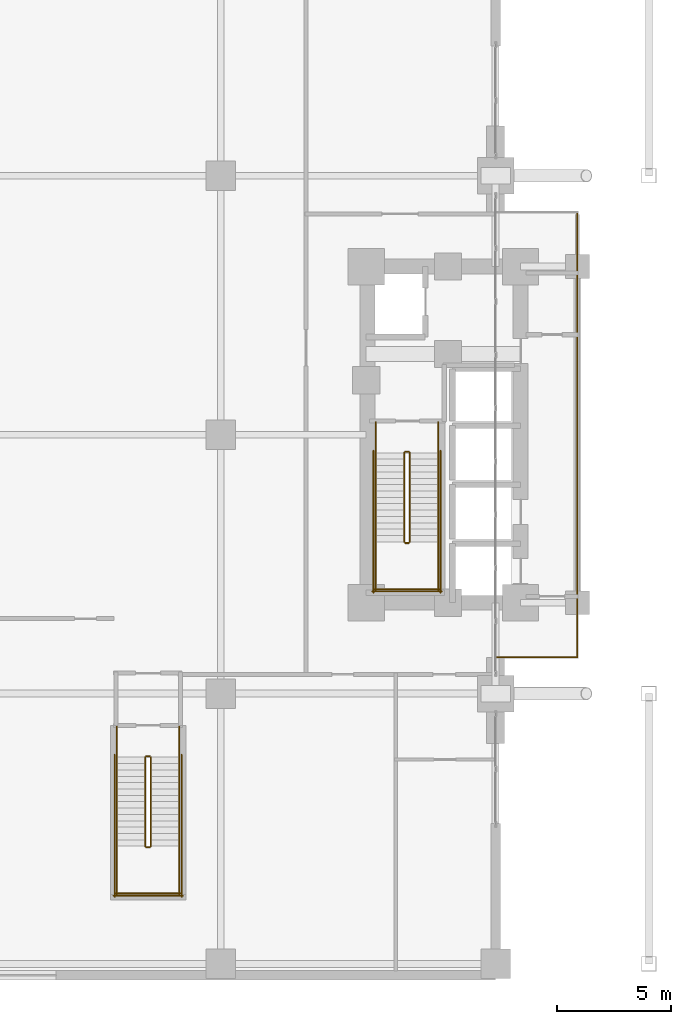
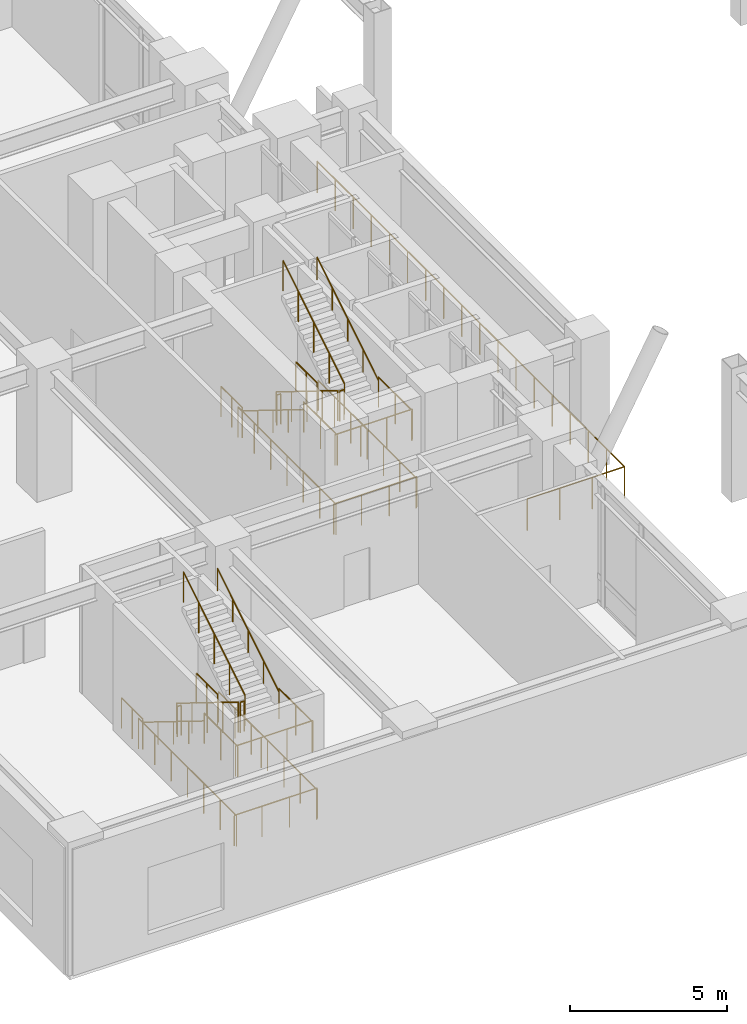
# One storey, part 24 of 27: 30 railings.
"""IFC4 building model written with IfcOpenShell, lengths in metres."""

from ifc_helpers import new_model, si_unit, direction, frame, origin, origin_2d, place, context, subcontext, project, spatial, circle, extrude, material, type_object, element, save


model = new_model("IFC4")

# Units and contexts
model_context = context("Model", 3, precision=1e-05, world=origin(), true_north=direction((0.0, 1.0)))
body_context = subcontext(model_context, "Body", "Model", "MODEL_VIEW")
ifc_project = project(units=[si_unit("LENGTHUNIT", "METRE"), si_unit("AREAUNIT", "SQUARE_METRE"), si_unit("VOLUMEUNIT", "CUBIC_METRE"), si_unit("PLANEANGLEUNIT", "RADIAN"), si_unit("MASSUNIT", "GRAM", prefix="KILO")], contexts=[model_context])

# Site, building, storey
site_placement = place(None, origin())
site = spatial("IfcSite", under=ifc_project, at=site_placement, CompositionType="ELEMENT")
building_placement = place(site_placement, origin())
building = spatial("IfcBuilding", under=site, at=building_placement, Name="Voryun Gate Residences", CompositionType="ELEMENT")
storey_placement = place(building_placement, frame((0.0, 0.0, 5.199951171875)))
storey = spatial("IfcBuildingStorey", under=building, at=storey_placement, Name="L01", CompositionType="ELEMENT", Elevation=5.199951171875)

# Railings
ifc_material_1 = material(Name="Painted steel", Category="steel")
railing_type_1 = type_object("IfcRailingType", Name="RAIL_STAIR_GUARD_1200", PredefinedType="GUARDRAIL", material=ifc_material_1)
railing_1_placement = place(storey_placement, frame((-17.52490234375, -0.800048828125, 0.17333984375)))
element("IfcRailing", 1, at=railing_1_placement, inside=storey, type_object=railing_type_1, Name="L01 ST-W1 stair guard 1", PredefinedType="GUARDRAIL", context=body_context, shape_type="SweptSolid", body=[
    extrude(circle(Radius=0.02392578125, at=origin_2d()), frame((0.0, 0.0, 1.17578125), z_axis=(0.0, -0.850251603719, 0.526376491091), x_axis=(1.0, 0.0, 0.0)), (0.0, 0.0, 1.0), 4.6103515625),
    extrude(circle(Radius=0.02099609375, at=origin_2d()), origin(), (0.0, 0.0, 1.0), 1.15185546875),
    extrude(circle(Radius=0.02099609375, at=origin_2d()), frame((0.0, -0.97998046875, 0.606689453125)), (0.0, 0.0, 1.0), 1.15185546875),
    extrude(circle(Radius=0.02099609375, at=origin_2d()), frame((0.0, -1.9599609375, 1.21337890625)), (0.0, 0.0, 1.0), 1.15185546875),
    extrude(circle(Radius=0.02099609375, at=origin_2d()), frame((0.0, -2.93994140625, 1.820068359375)), (0.0, 0.0, 1.0), 1.15185546875),
    extrude(circle(Radius=0.02099609375, at=origin_2d()), frame((0.0, -3.919921875, 2.4267578125)), (0.0, 0.0, 1.0), 1.15185546875),
])
railing_2_placement = place(storey_placement, frame((-17.47509765625, -4.77001953125, 2.60009765625)))
element("IfcRailing", 2, at=railing_2_placement, inside=storey, type_object=railing_type_1, Name="L01 ST-W1 stair guard 2", PredefinedType="GUARDRAIL", context=body_context, shape_type="SweptSolid", body=[
    extrude(circle(Radius=0.02392578125, at=origin_2d()), frame((0.0, 0.0, 1.17578125), z_axis=(1.0, 0.0, 0.0), x_axis=(0.0, 1.0, 0.0)), (0.0, 0.0, 1.0), 0.150146484375),
    extrude(circle(Radius=0.02099609375, at=origin_2d()), origin(), (0.0, 0.0, 1.0), 1.15185546875),
    extrude(circle(Radius=0.02099609375, at=origin_2d()), frame((0.150146484375, 0.0, 0.0)), (0.0, 0.0, 1.0), 1.15185546875),
])
for number, where, name in (
    (3, (-18.77490234375, -4.719970703125, 2.60009765625), "L01 ST-W1 stair guard 3"),
    (4, (-16.02490234375, -4.719970703125, 2.60009765625), "L01 ST-W1 stair guard 4"),
):
    element("IfcRailing", number, at=place(storey_placement, frame(where)), inside=storey, type_object=railing_type_1, Name=name, PredefinedType="GUARDRAIL", context=body_context, shape_type="SweptSolid", body=[
        extrude(circle(Radius=0.02392578125, at=origin_2d()), frame((0.0, 0.0, 1.17578125), z_axis=(0.0, -1.0, 0.0), x_axis=(1.0, 0.0, 0.0)), (0.0, 0.0, 1.0), 2.130126953125),
        extrude(circle(Radius=0.02099609375, at=origin_2d()), origin(), (0.0, 0.0, 1.0), 1.15185546875),
        extrude(circle(Radius=0.02099609375, at=origin_2d()), frame((0.0, -1.06494140625, 0.0)), (0.0, 0.0, 1.0), 1.15185546875),
        extrude(circle(Radius=0.02099609375, at=origin_2d()), frame((0.0, -2.130126953125, 0.0)), (0.0, 0.0, 1.0), 1.15185546875),
    ])
railing_3_placement = place(storey_placement, frame((-18.824951171875, -6.800048828125, 2.60009765625)))
element("IfcRailing", 5, at=railing_3_placement, inside=storey, type_object=railing_type_1, Name="L01 ST-W1 stair guard 5", PredefinedType="GUARDRAIL", context=body_context, shape_type="SweptSolid", body=[
    extrude(circle(Radius=0.02392578125, at=origin_2d()), frame((0.0, 0.0, 1.17578125), z_axis=(1.0, 0.0, 0.0), x_axis=(0.0, 1.0, 0.0)), (0.0, 0.0, 1.0), 2.849853515625),
    extrude(circle(Radius=0.02099609375, at=origin_2d()), origin(), (0.0, 0.0, 1.0), 1.15185546875),
    extrude(circle(Radius=0.02099609375, at=origin_2d()), frame((0.949951171875, 0.0, 0.0)), (0.0, 0.0, 1.0), 1.15185546875),
    extrude(circle(Radius=0.02099609375, at=origin_2d()), frame((1.89990234375, 0.0, 0.0)), (0.0, 0.0, 1.0), 1.15185546875),
    extrude(circle(Radius=0.02099609375, at=origin_2d()), frame((2.849853515625, 0.0, 0.0)), (0.0, 0.0, 1.0), 1.15185546875),
])
railing_4_placement = place(storey_placement, frame((-17.27490234375, -4.719970703125, 2.7734375)))
element("IfcRailing", 6, at=railing_4_placement, inside=storey, type_object=railing_type_1, Name="L01 ST-W1 stair guard 6", PredefinedType="GUARDRAIL", context=body_context, shape_type="SweptSolid", body=[
    extrude(circle(Radius=0.02392578125, at=origin_2d()), frame((0.0, 0.0, 1.17578125), z_axis=(0.0, 0.850275303828, 0.526338206574), x_axis=(-1.0, 0.0, 0.0)), (0.0, 0.0, 1.0), 4.610107421875),
    extrude(circle(Radius=0.02099609375, at=origin_2d()), origin(), (0.0, 0.0, 1.0), 1.15185546875),
    extrude(circle(Radius=0.02099609375, at=origin_2d()), frame((0.0, 0.97998046875, 0.606689453125)), (0.0, 0.0, 1.0), 1.15185546875),
    extrude(circle(Radius=0.02099609375, at=origin_2d()), frame((0.0, 1.9599609375, 1.21337890625)), (0.0, 0.0, 1.0), 1.15185546875),
    extrude(circle(Radius=0.02099609375, at=origin_2d()), frame((0.0, 2.93994140625, 1.81982421875)), (0.0, 0.0, 1.0), 1.15185546875),
    extrude(circle(Radius=0.02099609375, at=origin_2d()), frame((0.0, 3.919921875, 2.426513671875)), (0.0, 0.0, 1.0), 1.15185546875),
])
railing_5_placement = place(storey_placement, frame((-17.47509765625, -0.75, 0.0)))
element("IfcRailing", 7, at=railing_5_placement, inside=storey, type_object=railing_type_1, Name="L01 ST-W1 stair guard 7", PredefinedType="GUARDRAIL", context=body_context, shape_type="SweptSolid", body=[
    extrude(circle(Radius=0.02392578125, at=origin_2d()), frame((0.0, 0.0, 1.17578125), z_axis=(1.0, 0.0, 0.0), x_axis=(0.0, 1.0, 0.0)), (0.0, 0.0, 1.0), 0.150146484375),
    extrude(circle(Radius=0.02099609375, at=origin_2d()), origin(), (0.0, 0.0, 1.0), 1.15185546875),
    extrude(circle(Radius=0.02099609375, at=origin_2d()), frame((0.150146484375, 0.0, 0.0)), (0.0, 0.0, 1.0), 1.15185546875),
])
for number, where, name in (
    (8, (-18.77490234375, 0.550048828125, 0.0), "L01 ST-W1 stair guard 8"),
    (9, (-16.02490234375, 0.550048828125, 0.0), "L01 ST-W1 stair guard 9"),
):
    element("IfcRailing", number, at=place(storey_placement, frame(where)), inside=storey, type_object=railing_type_1, Name=name, PredefinedType="GUARDRAIL", context=body_context, shape_type="SweptSolid", body=[
        extrude(circle(Radius=0.02392578125, at=origin_2d()), frame((0.0, 0.0, 1.17578125), z_axis=(0.0, -1.0, 0.0), x_axis=(1.0, 0.0, 0.0)), (0.0, 0.0, 1.0), 1.35009765625),
        extrude(circle(Radius=0.02099609375, at=origin_2d()), origin(), (0.0, 0.0, 1.0), 1.15185546875),
        extrude(circle(Radius=0.02099609375, at=origin_2d()), frame((0.0, -0.675048828125, 0.0)), (0.0, 0.0, 1.0), 1.15185546875),
        extrude(circle(Radius=0.02099609375, at=origin_2d()), frame((0.0, -1.35009765625, 0.0)), (0.0, 0.0, 1.0), 1.15185546875),
    ])
for number, where, name in (
    (10, (-18.875, -0.699951171875, 0.0), "L01 ST-W1 stair guard 10"),
    (11, (-15.925048828125, -0.699951171875, 0.0), "L01 ST-W1 stair guard 11"),
):
    element("IfcRailing", number, at=place(storey_placement, frame(where)), inside=storey, type_object=railing_type_1, Name=name, PredefinedType="GUARDRAIL", context=body_context, shape_type="SweptSolid", body=[
        extrude(circle(Radius=0.02392578125, at=origin_2d()), frame((0.0, 0.0, 1.17578125), z_axis=(0.0, -1.0, 0.0), x_axis=(1.0, 0.0, 0.0)), (0.0, 0.0, 1.0), 6.25),
        extrude(circle(Radius=0.02099609375, at=origin_2d()), origin(), (0.0, 0.0, 1.0), 1.15185546875),
        extrude(circle(Radius=0.02099609375, at=origin_2d()), frame((0.0, -1.041748046875, 0.0)), (0.0, 0.0, 1.0), 1.15185546875),
        extrude(circle(Radius=0.02099609375, at=origin_2d()), frame((0.0, -2.083251953125, 0.0)), (0.0, 0.0, 1.0), 1.15185546875),
        extrude(circle(Radius=0.02099609375, at=origin_2d()), frame((0.0, -3.125, 0.0)), (0.0, 0.0, 1.0), 1.15185546875),
        extrude(circle(Radius=0.02099609375, at=origin_2d()), frame((0.0, -4.166748046875, 0.0)), (0.0, 0.0, 1.0), 1.15185546875),
        extrude(circle(Radius=0.02099609375, at=origin_2d()), frame((0.0, -5.208251953125, 0.0)), (0.0, 0.0, 1.0), 1.15185546875),
        extrude(circle(Radius=0.02099609375, at=origin_2d()), frame((0.0, -6.25, 0.0)), (0.0, 0.0, 1.0), 1.15185546875),
    ])
railing_6_placement = place(storey_placement, frame((-18.925048828125, -6.89990234375, 0.0)))
element("IfcRailing", 12, at=railing_6_placement, inside=storey, type_object=railing_type_1, Name="L01 ST-W1 stair guard 12", PredefinedType="GUARDRAIL", context=body_context, shape_type="SweptSolid", body=[
    extrude(circle(Radius=0.02392578125, at=origin_2d()), frame((0.0, 0.0, 1.17578125), z_axis=(1.0, 0.0, 0.0), x_axis=(0.0, 1.0, 0.0)), (0.0, 0.0, 1.0), 3.050048828125),
    extrude(circle(Radius=0.02099609375, at=origin_2d()), origin(), (0.0, 0.0, 1.0), 1.15185546875),
    extrude(circle(Radius=0.02099609375, at=origin_2d()), frame((1.0166015625, 0.0, 0.0)), (0.0, 0.0, 1.0), 1.15185546875),
    extrude(circle(Radius=0.02099609375, at=origin_2d()), frame((2.033447265625, 0.0, 0.0)), (0.0, 0.0, 1.0), 1.15185546875),
    extrude(circle(Radius=0.02099609375, at=origin_2d()), frame((3.050048828125, 0.0, 0.0)), (0.0, 0.0, 1.0), 1.15185546875),
])
railing_7_placement = place(storey_placement, frame((-28.925048828125, -14.199951171875, 0.17333984375)))
element("IfcRailing", 13, at=railing_7_placement, inside=storey, type_object=railing_type_1, Name="L01 ST-P1 stair guard 1", PredefinedType="GUARDRAIL", context=body_context, shape_type="SweptSolid", body=[
    extrude(circle(Radius=0.02392578125, at=origin_2d()), frame((0.0, 0.0, 1.17578125), z_axis=(0.0, -0.850266275192, 0.526352791643), x_axis=(1.0, 0.0, 0.0)), (0.0, 0.0, 1.0), 4.610595703125),
    extrude(circle(Radius=0.02099609375, at=origin_2d()), origin(), (0.0, 0.0, 1.0), 1.15185546875),
    extrude(circle(Radius=0.02099609375, at=origin_2d()), frame((0.0, -0.97998046875, 0.606689453125)), (0.0, 0.0, 1.0), 1.15185546875),
    extrude(circle(Radius=0.02099609375, at=origin_2d()), frame((0.0, -1.9599609375, 1.21337890625)), (0.0, 0.0, 1.0), 1.15185546875),
    extrude(circle(Radius=0.02099609375, at=origin_2d()), frame((0.0, -2.940185546875, 1.820068359375)), (0.0, 0.0, 1.0), 1.15185546875),
    extrude(circle(Radius=0.02099609375, at=origin_2d()), frame((0.0, -3.920166015625, 2.4267578125)), (0.0, 0.0, 1.0), 1.15185546875),
])
railing_8_placement = place(storey_placement, frame((-28.875, -18.169921875, 2.60009765625)))
element("IfcRailing", 14, at=railing_8_placement, inside=storey, type_object=railing_type_1, Name="L01 ST-P1 stair guard 2", PredefinedType="GUARDRAIL", context=body_context, shape_type="SweptSolid", body=[
    extrude(circle(Radius=0.02392578125, at=origin_2d()), frame((0.0, 0.0, 1.17578125), z_axis=(1.0, 0.0, 0.0), x_axis=(0.0, 1.0, 0.0)), (0.0, 0.0, 1.0), 0.14990234375),
    extrude(circle(Radius=0.02099609375, at=origin_2d()), origin(), (0.0, 0.0, 1.0), 1.15185546875),
    extrude(circle(Radius=0.02099609375, at=origin_2d()), frame((0.14990234375, 0.0, 0.0)), (0.0, 0.0, 1.0), 1.15185546875),
])
for number, where, name in (
    (15, (-30.175048828125, -18.1201171875, 2.60009765625), "L01 ST-P1 stair guard 3"),
    (16, (-27.425048828125, -18.1201171875, 2.60009765625), "L01 ST-P1 stair guard 4"),
):
    element("IfcRailing", number, at=place(storey_placement, frame(where)), inside=storey, type_object=railing_type_1, Name=name, PredefinedType="GUARDRAIL", context=body_context, shape_type="SweptSolid", body=[
        extrude(circle(Radius=0.02392578125, at=origin_2d()), frame((0.0, 0.0, 1.17578125), z_axis=(0.0, -1.0, 0.0), x_axis=(1.0, 0.0, 0.0)), (0.0, 0.0, 1.0), 2.1298828125),
        extrude(circle(Radius=0.02099609375, at=origin_2d()), origin(), (0.0, 0.0, 1.0), 1.15185546875),
        extrude(circle(Radius=0.02099609375, at=origin_2d()), frame((0.0, -1.06494140625, 0.0)), (0.0, 0.0, 1.0), 1.15185546875),
        extrude(circle(Radius=0.02099609375, at=origin_2d()), frame((0.0, -2.1298828125, 0.0)), (0.0, 0.0, 1.0), 1.15185546875),
    ])
railing_9_placement = place(storey_placement, frame((-30.22509765625, -20.199951171875, 2.60009765625)))
element("IfcRailing", 17, at=railing_9_placement, inside=storey, type_object=railing_type_1, Name="L01 ST-P1 stair guard 5", PredefinedType="GUARDRAIL", context=body_context, shape_type="SweptSolid", body=[
    extrude(circle(Radius=0.02392578125, at=origin_2d()), frame((0.0, 0.0, 1.17578125), z_axis=(1.0, 0.0, 0.0), x_axis=(0.0, 1.0, 0.0)), (0.0, 0.0, 1.0), 2.85009765625),
    extrude(circle(Radius=0.02099609375, at=origin_2d()), origin(), (0.0, 0.0, 1.0), 1.15185546875),
    extrude(circle(Radius=0.02099609375, at=origin_2d()), frame((0.949951171875, 0.0, 0.0)), (0.0, 0.0, 1.0), 1.15185546875),
    extrude(circle(Radius=0.02099609375, at=origin_2d()), frame((1.900146484375, 0.0, 0.0)), (0.0, 0.0, 1.0), 1.15185546875),
    extrude(circle(Radius=0.02099609375, at=origin_2d()), frame((2.85009765625, 0.0, 0.0)), (0.0, 0.0, 1.0), 1.15185546875),
])
railing_10_placement = place(storey_placement, frame((-28.675048828125, -18.1201171875, 2.7734375)))
element("IfcRailing", 18, at=railing_10_placement, inside=storey, type_object=railing_type_1, Name="L01 ST-P1 stair guard 6", PredefinedType="GUARDRAIL", context=body_context, shape_type="SweptSolid", body=[
    extrude(circle(Radius=0.02392578125, at=origin_2d()), frame((0.0, 0.0, 1.17578125), z_axis=(0.0, 0.850289973577, 0.526314507528), x_axis=(-1.0, 0.0, 0.0)), (0.0, 0.0, 1.0), 4.6103515625),
    extrude(circle(Radius=0.02099609375, at=origin_2d()), origin(), (0.0, 0.0, 1.0), 1.15185546875),
    extrude(circle(Radius=0.02099609375, at=origin_2d()), frame((0.0, 0.97998046875, 0.606689453125)), (0.0, 0.0, 1.0), 1.15185546875),
    extrude(circle(Radius=0.02099609375, at=origin_2d()), frame((0.0, 1.9599609375, 1.21337890625)), (0.0, 0.0, 1.0), 1.15185546875),
    extrude(circle(Radius=0.02099609375, at=origin_2d()), frame((0.0, 2.940185546875, 1.81982421875)), (0.0, 0.0, 1.0), 1.15185546875),
    extrude(circle(Radius=0.02099609375, at=origin_2d()), frame((0.0, 3.920166015625, 2.426513671875)), (0.0, 0.0, 1.0), 1.15185546875),
])
railing_11_placement = place(storey_placement, frame((-28.875, -14.14990234375, 0.0)))
element("IfcRailing", 19, at=railing_11_placement, inside=storey, type_object=railing_type_1, Name="L01 ST-P1 stair guard 7", PredefinedType="GUARDRAIL", context=body_context, shape_type="SweptSolid", body=[
    extrude(circle(Radius=0.02392578125, at=origin_2d()), frame((0.0, 0.0, 1.17578125), z_axis=(1.0, 0.0, 0.0), x_axis=(0.0, 1.0, 0.0)), (0.0, 0.0, 1.0), 0.14990234375),
    extrude(circle(Radius=0.02099609375, at=origin_2d()), origin(), (0.0, 0.0, 1.0), 1.15185546875),
    extrude(circle(Radius=0.02099609375, at=origin_2d()), frame((0.14990234375, 0.0, 0.0)), (0.0, 0.0, 1.0), 1.15185546875),
])
for number, where, name in (
    (20, (-30.175048828125, -12.85009765625, 0.0), "L01 ST-P1 stair guard 8"),
    (21, (-27.425048828125, -12.85009765625, 0.0), "L01 ST-P1 stair guard 9"),
):
    element("IfcRailing", number, at=place(storey_placement, frame(where)), inside=storey, type_object=railing_type_1, Name=name, PredefinedType="GUARDRAIL", context=body_context, shape_type="SweptSolid", body=[
        extrude(circle(Radius=0.02392578125, at=origin_2d()), frame((0.0, 0.0, 1.17578125), z_axis=(0.0, -1.0, 0.0), x_axis=(1.0, 0.0, 0.0)), (0.0, 0.0, 1.0), 1.349853515625),
        extrude(circle(Radius=0.02099609375, at=origin_2d()), origin(), (0.0, 0.0, 1.0), 1.15185546875),
        extrude(circle(Radius=0.02099609375, at=origin_2d()), frame((0.0, -0.6748046875, 0.0)), (0.0, 0.0, 1.0), 1.15185546875),
        extrude(circle(Radius=0.02099609375, at=origin_2d()), frame((0.0, -1.349853515625, 0.0)), (0.0, 0.0, 1.0), 1.15185546875),
    ])
for number, where, name in (
    (22, (-30.27490234375, -14.10009765625, 0.0), "L01 ST-P1 stair guard 10"),
    (23, (-27.324951171875, -14.10009765625, 0.0), "L01 ST-P1 stair guard 11"),
):
    element("IfcRailing", number, at=place(storey_placement, frame(where)), inside=storey, type_object=railing_type_1, Name=name, PredefinedType="GUARDRAIL", context=body_context, shape_type="SweptSolid", body=[
        extrude(circle(Radius=0.02392578125, at=origin_2d()), frame((0.0, 0.0, 1.17578125), z_axis=(0.0, -1.0, 0.0), x_axis=(1.0, 0.0, 0.0)), (0.0, 0.0, 1.0), 6.25),
        extrude(circle(Radius=0.02099609375, at=origin_2d()), origin(), (0.0, 0.0, 1.0), 1.15185546875),
        extrude(circle(Radius=0.02099609375, at=origin_2d()), frame((0.0, -1.041748046875, 0.0)), (0.0, 0.0, 1.0), 1.15185546875),
        extrude(circle(Radius=0.02099609375, at=origin_2d()), frame((0.0, -2.083251953125, 0.0)), (0.0, 0.0, 1.0), 1.15185546875),
        extrude(circle(Radius=0.02099609375, at=origin_2d()), frame((0.0, -3.125, 0.0)), (0.0, 0.0, 1.0), 1.15185546875),
        extrude(circle(Radius=0.02099609375, at=origin_2d()), frame((0.0, -4.166748046875, 0.0)), (0.0, 0.0, 1.0), 1.15185546875),
        extrude(circle(Radius=0.02099609375, at=origin_2d()), frame((0.0, -5.208251953125, 0.0)), (0.0, 0.0, 1.0), 1.15185546875),
        extrude(circle(Radius=0.02099609375, at=origin_2d()), frame((0.0, -6.25, 0.0)), (0.0, 0.0, 1.0), 1.15185546875),
    ])
railing_12_placement = place(storey_placement, frame((-30.324951171875, -20.300048828125, 0.0)))
element("IfcRailing", 24, at=railing_12_placement, inside=storey, type_object=railing_type_1, Name="L01 ST-P1 stair guard 12", PredefinedType="GUARDRAIL", context=body_context, shape_type="SweptSolid", body=[
    extrude(circle(Radius=0.02392578125, at=origin_2d()), frame((0.0, 0.0, 1.17578125), z_axis=(1.0, 0.0, 0.0), x_axis=(0.0, 1.0, 0.0)), (0.0, 0.0, 1.0), 3.050048828125),
    extrude(circle(Radius=0.02099609375, at=origin_2d()), origin(), (0.0, 0.0, 1.0), 1.15185546875),
    extrude(circle(Radius=0.02099609375, at=origin_2d()), frame((1.0166015625, 0.0, 0.0)), (0.0, 0.0, 1.0), 1.15185546875),
    extrude(circle(Radius=0.02099609375, at=origin_2d()), frame((2.033447265625, 0.0, 0.0)), (0.0, 0.0, 1.0), 1.15185546875),
    extrude(circle(Radius=0.02099609375, at=origin_2d()), frame((3.050048828125, 0.0, 0.0)), (0.0, 0.0, 1.0), 1.15185546875),
])
ifc_material_2 = material(Name="Painted steel", Category="steel")
railing_type_2 = type_object("IfcRailingType", Name="RAIL_STAIR_HANDRAIL_900", PredefinedType="HANDRAIL", material=ifc_material_2)
railing_13_placement = place(storey_placement, frame((-18.77490234375, -0.800048828125, 0.17333984375)))
element("IfcRailing", 25, at=railing_13_placement, inside=storey, type_object=railing_type_2, Name="L01 ST-W1 stair handrail 1", PredefinedType="HANDRAIL", context=body_context, shape_type="SweptSolid", body=[
    extrude(circle(Radius=0.02392578125, at=origin_2d()), frame((0.0, 0.0, 0.8759765625), z_axis=(0.0, -0.850251603719, 0.526376491091), x_axis=(1.0, 0.0, 0.0)), (0.0, 0.0, 1.0), 4.6103515625),
    extrude(circle(Radius=0.02099609375, at=origin_2d()), origin(), (0.0, 0.0, 1.0), 0.851806640625),
    extrude(circle(Radius=0.02099609375, at=origin_2d()), frame((0.0, -0.97998046875, 0.606689453125)), (0.0, 0.0, 1.0), 0.851806640625),
    extrude(circle(Radius=0.02099609375, at=origin_2d()), frame((0.0, -1.9599609375, 1.21337890625)), (0.0, 0.0, 1.0), 0.851806640625),
    extrude(circle(Radius=0.02099609375, at=origin_2d()), frame((0.0, -2.93994140625, 1.820068359375)), (0.0, 0.0, 1.0), 0.851806640625),
    extrude(circle(Radius=0.02099609375, at=origin_2d()), frame((0.0, -3.919921875, 2.4267578125)), (0.0, 0.0, 1.0), 0.851806640625),
])
railing_14_placement = place(storey_placement, frame((-16.02490234375, -4.719970703125, 2.7734375)))
element("IfcRailing", 26, at=railing_14_placement, inside=storey, type_object=railing_type_2, Name="L01 ST-W1 stair handrail 2", PredefinedType="HANDRAIL", context=body_context, shape_type="SweptSolid", body=[
    extrude(circle(Radius=0.02392578125, at=origin_2d()), frame((0.0, 0.0, 0.8759765625), z_axis=(0.0, 0.850275303828, 0.526338206574), x_axis=(-1.0, 0.0, 0.0)), (0.0, 0.0, 1.0), 4.610107421875),
    extrude(circle(Radius=0.02099609375, at=origin_2d()), origin(), (0.0, 0.0, 1.0), 0.851806640625),
    extrude(circle(Radius=0.02099609375, at=origin_2d()), frame((0.0, 0.97998046875, 0.606689453125)), (0.0, 0.0, 1.0), 0.851806640625),
    extrude(circle(Radius=0.02099609375, at=origin_2d()), frame((0.0, 1.9599609375, 1.21337890625)), (0.0, 0.0, 1.0), 0.851806640625),
    extrude(circle(Radius=0.02099609375, at=origin_2d()), frame((0.0, 2.93994140625, 1.81982421875)), (0.0, 0.0, 1.0), 0.851806640625),
    extrude(circle(Radius=0.02099609375, at=origin_2d()), frame((0.0, 3.919921875, 2.426513671875)), (0.0, 0.0, 1.0), 0.851806640625),
])
railing_15_placement = place(storey_placement, frame((-30.175048828125, -14.199951171875, 0.17333984375)))
element("IfcRailing", 27, at=railing_15_placement, inside=storey, type_object=railing_type_2, Name="L01 ST-P1 stair handrail 1", PredefinedType="HANDRAIL", context=body_context, shape_type="SweptSolid", body=[
    extrude(circle(Radius=0.02392578125, at=origin_2d()), frame((0.0, 0.0, 0.8759765625), z_axis=(0.0, -0.850266275192, 0.526352791643), x_axis=(1.0, 0.0, 0.0)), (0.0, 0.0, 1.0), 4.610595703125),
    extrude(circle(Radius=0.02099609375, at=origin_2d()), origin(), (0.0, 0.0, 1.0), 0.851806640625),
    extrude(circle(Radius=0.02099609375, at=origin_2d()), frame((0.0, -0.97998046875, 0.606689453125)), (0.0, 0.0, 1.0), 0.851806640625),
    extrude(circle(Radius=0.02099609375, at=origin_2d()), frame((0.0, -1.9599609375, 1.21337890625)), (0.0, 0.0, 1.0), 0.851806640625),
    extrude(circle(Radius=0.02099609375, at=origin_2d()), frame((0.0, -2.940185546875, 1.820068359375)), (0.0, 0.0, 1.0), 0.851806640625),
    extrude(circle(Radius=0.02099609375, at=origin_2d()), frame((0.0, -3.920166015625, 2.4267578125)), (0.0, 0.0, 1.0), 0.851806640625),
])
railing_16_placement = place(storey_placement, frame((-27.425048828125, -18.1201171875, 2.7734375)))
element("IfcRailing", 28, at=railing_16_placement, inside=storey, type_object=railing_type_2, Name="L01 ST-P1 stair handrail 2", PredefinedType="HANDRAIL", context=body_context, shape_type="SweptSolid", body=[
    extrude(circle(Radius=0.02392578125, at=origin_2d()), frame((0.0, 0.0, 0.8759765625), z_axis=(0.0, 0.850289973577, 0.526314507528), x_axis=(-1.0, 0.0, 0.0)), (0.0, 0.0, 1.0), 4.6103515625),
    extrude(circle(Radius=0.02099609375, at=origin_2d()), origin(), (0.0, 0.0, 1.0), 0.851806640625),
    extrude(circle(Radius=0.02099609375, at=origin_2d()), frame((0.0, 0.97998046875, 0.606689453125)), (0.0, 0.0, 1.0), 0.851806640625),
    extrude(circle(Radius=0.02099609375, at=origin_2d()), frame((0.0, 1.9599609375, 1.21337890625)), (0.0, 0.0, 1.0), 0.851806640625),
    extrude(circle(Radius=0.02099609375, at=origin_2d()), frame((0.0, 2.940185546875, 1.81982421875)), (0.0, 0.0, 1.0), 0.851806640625),
    extrude(circle(Radius=0.02099609375, at=origin_2d()), frame((0.0, 3.920166015625, 2.426513671875)), (0.0, 0.0, 1.0), 0.851806640625),
])
ifc_material_3 = material(Name="Anodised aluminium", Category="aluminium")
railing_type_3 = type_object("IfcRailingType", Name="RAIL_TERRACE_GUARD_1250", PredefinedType="GUARDRAIL", material=ifc_material_3)
railing_17_placement = place(storey_placement, frame((-13.47998046875, -9.800048828125, 0.0)))
element("IfcRailing", 29, at=railing_17_placement, inside=storey, type_object=railing_type_3, Name="Terrace guard RL-L01-ARCH-W-01", PredefinedType="GUARDRAIL", context=body_context, shape_type="SweptSolid", body=[
    extrude(circle(Radius=0.02392578125, at=origin_2d()), frame((0.0, 0.0, 1.22607421875), z_axis=(1.0, 0.0, 0.0), x_axis=(0.0, 1.0, 0.0)), (0.0, 0.0, 1.0), 3.580078125),
    extrude(circle(Radius=0.02099609375, at=origin_2d()), origin(), (0.0, 0.0, 1.0), 1.201904296875),
    extrude(circle(Radius=0.02099609375, at=origin_2d()), frame((1.193359375, 0.0, 0.0)), (0.0, 0.0, 1.0), 1.201904296875),
    extrude(circle(Radius=0.02099609375, at=origin_2d()), frame((2.38671875, 0.0, 0.0)), (0.0, 0.0, 1.0), 1.201904296875),
    extrude(circle(Radius=0.02099609375, at=origin_2d()), frame((3.580078125, 0.0, 0.0)), (0.0, 0.0, 1.0), 1.201904296875),
])
railing_18_placement = place(storey_placement, frame((-9.89990234375, -9.800048828125, 0.0)))
element("IfcRailing", 30, at=railing_18_placement, inside=storey, type_object=railing_type_3, Name="Terrace guard RL-L01-ARCH-W-02", PredefinedType="GUARDRAIL", context=body_context, shape_type="SweptSolid", body=[
    extrude(circle(Radius=0.02392578125, at=origin_2d()), frame((0.0, 0.0, 1.22607421875), z_axis=(0.0, 1.0, 0.0), x_axis=(-1.0, 0.0, 0.0)), (0.0, 0.0, 1.0), 19.60009765625),
    extrude(circle(Radius=0.02099609375, at=origin_2d()), origin(), (0.0, 0.0, 1.0), 1.201904296875),
    extrude(circle(Radius=0.02099609375, at=origin_2d()), frame((0.0, 1.15283203125, 0.0)), (0.0, 0.0, 1.0), 1.201904296875),
    extrude(circle(Radius=0.02099609375, at=origin_2d()), frame((0.0, 2.305908203125, 0.0)), (0.0, 0.0, 1.0), 1.201904296875),
    extrude(circle(Radius=0.02099609375, at=origin_2d()), frame((0.0, 3.458740234375, 0.0)), (0.0, 0.0, 1.0), 1.201904296875),
    extrude(circle(Radius=0.02099609375, at=origin_2d()), frame((0.0, 4.61181640625, 0.0)), (0.0, 0.0, 1.0), 1.201904296875),
    extrude(circle(Radius=0.02099609375, at=origin_2d()), frame((0.0, 5.7646484375, 0.0)), (0.0, 0.0, 1.0), 1.201904296875),
    extrude(circle(Radius=0.02099609375, at=origin_2d()), frame((0.0, 6.917724609375, 0.0)), (0.0, 0.0, 1.0), 1.201904296875),
    extrude(circle(Radius=0.02099609375, at=origin_2d()), frame((0.0, 8.070556640625, 0.0)), (0.0, 0.0, 1.0), 1.201904296875),
    extrude(circle(Radius=0.02099609375, at=origin_2d()), frame((0.0, 9.2236328125, 0.0)), (0.0, 0.0, 1.0), 1.201904296875),
    extrude(circle(Radius=0.02099609375, at=origin_2d()), frame((0.0, 10.37646484375, 0.0)), (0.0, 0.0, 1.0), 1.201904296875),
    extrude(circle(Radius=0.02099609375, at=origin_2d()), frame((0.0, 11.529541015625, 0.0)), (0.0, 0.0, 1.0), 1.201904296875),
    extrude(circle(Radius=0.02099609375, at=origin_2d()), frame((0.0, 12.682373046875, 0.0)), (0.0, 0.0, 1.0), 1.201904296875),
    extrude(circle(Radius=0.02099609375, at=origin_2d()), frame((0.0, 13.83544921875, 0.0)), (0.0, 0.0, 1.0), 1.201904296875),
    extrude(circle(Radius=0.02099609375, at=origin_2d()), frame((0.0, 14.98828125, 0.0)), (0.0, 0.0, 1.0), 1.201904296875),
    extrude(circle(Radius=0.02099609375, at=origin_2d()), frame((0.0, 16.141357421875, 0.0)), (0.0, 0.0, 1.0), 1.201904296875),
    extrude(circle(Radius=0.02099609375, at=origin_2d()), frame((0.0, 17.294189453125, 0.0)), (0.0, 0.0, 1.0), 1.201904296875),
    extrude(circle(Radius=0.02099609375, at=origin_2d()), frame((0.0, 18.447265625, 0.0)), (0.0, 0.0, 1.0), 1.201904296875),
    extrude(circle(Radius=0.02099609375, at=origin_2d()), frame((0.0, 19.60009765625, 0.0)), (0.0, 0.0, 1.0), 1.201904296875),
])

save(model, "model.ifc")
